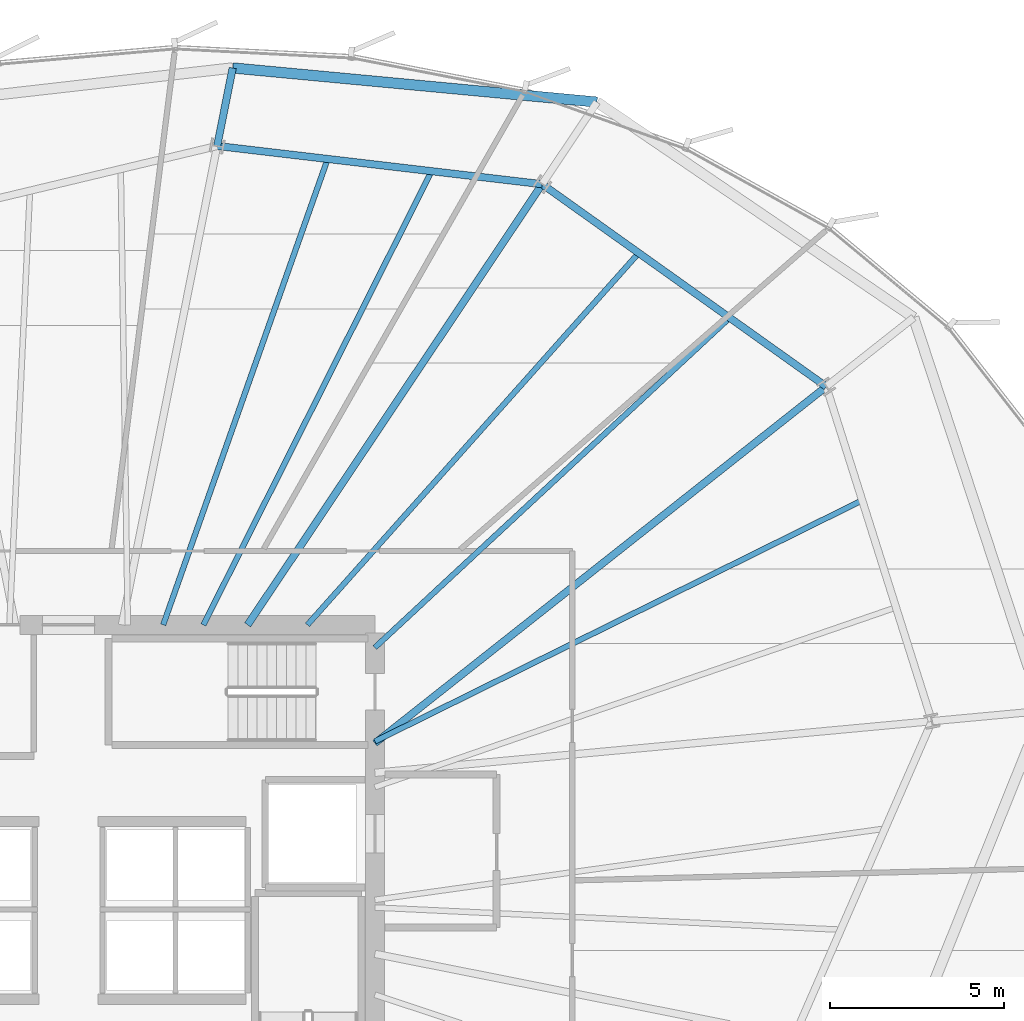
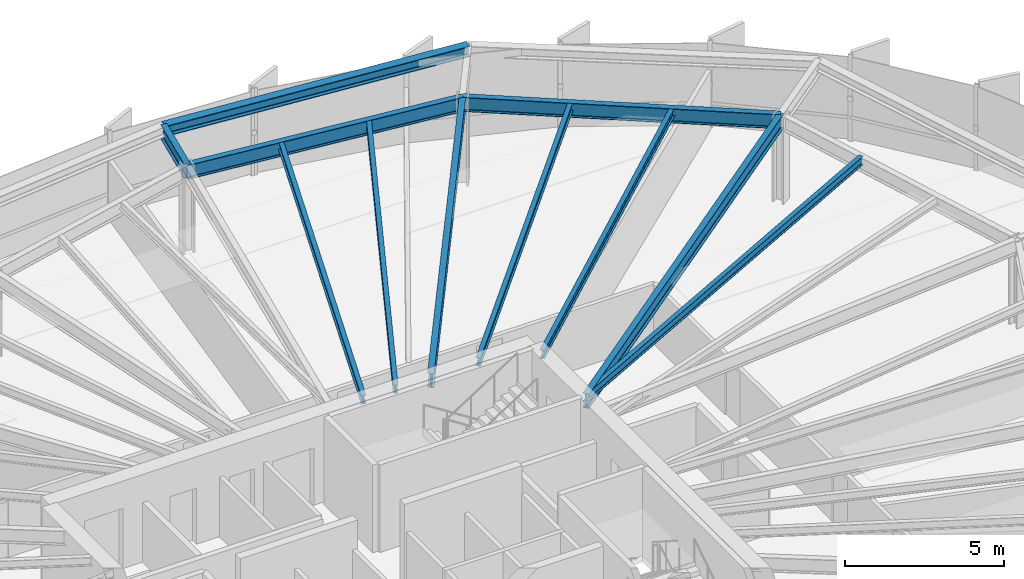
# One storey, part 23 of 35: 11 beams.
"""IFC4 building model written with IfcOpenShell, lengths in metres."""

from ifc_helpers import new_model, si_unit, direction, frame, origin, origin_2d, place, context, subcontext, project, spatial, i_section, extrude, source, transform, mapped, material, material_profile, profile_set, type_object, element, save


model = new_model("IFC4")

# Units and contexts
model_context = context("Model", 3, precision=1e-05, world=origin(), true_north=direction((0.0, 1.0)))
body_context = subcontext(model_context, "Body", "Model", "MODEL_VIEW")
ifc_project = project(units=[si_unit("LENGTHUNIT", "METRE"), si_unit("AREAUNIT", "SQUARE_METRE"), si_unit("VOLUMEUNIT", "CUBIC_METRE"), si_unit("PLANEANGLEUNIT", "RADIAN"), si_unit("MASSUNIT", "GRAM", prefix="KILO"), si_unit("THERMODYNAMICTEMPERATUREUNIT", "KELVIN")], contexts=[model_context])

# Site, building, storey
site_placement = place(None, origin())
site = spatial("IfcSite", under=ifc_project, at=site_placement, CompositionType="ELEMENT")
building_placement = place(site_placement, origin())
building = spatial("IfcBuilding", under=site, at=building_placement, Name="Kethvar Cultural Tower", CompositionType="ELEMENT")
storey_placement = place(building_placement, frame((0.0, 0.0, 103.60009765625)))
storey = spatial("IfcBuildingStorey", under=building, at=storey_placement, Name="L25", CompositionType="ELEMENT", Elevation=103.60009765625)

# Beams
ifc_material = material(Name="Steel S355J2", Category="steel")
ifc_material_profile_1 = material_profile(ifc_material, i_section(OverallWidth=0.2099609375, OverallDepth=0.550048828125, WebThickness=0.010986328125, FlangeThickness=0.01708984375, FilletRadius=0.02392578125, at=origin_2d()), Name="Steel S355J2 — IPE550")
ifc_profile_set_1 = profile_set([ifc_material_profile_1], Name="Steel S355J2 — IPE550")
beam_type_1 = type_object("IfcBeamType", Name="BM-IPE550", PredefinedType="BEAM", material=ifc_profile_set_1)
shared_shape_1 = source(origin(), body_context, "Body", "SweptSolid", [
    extrude(i_section(OverallWidth=0.2099609375, OverallDepth=0.550048828125, WebThickness=0.010986328125, FlangeThickness=0.01708984375, FilletRadius=0.02392578125, at=origin_2d()), origin(), (0.0, 0.0, 1.0), 16.527099609375),
])
beam_1_placement = place(storey_placement, frame((55.60009765625, 32.10009765625, 3.072998046875), z_axis=(0.784681939021, 0.619898584105, 0.0), x_axis=(-0.619898584105, 0.784681939021, 0.0)))
element("IfcBeam", 1, at=beam_1_placement, inside=storey, type_object=beam_type_1, Name="L25 Primary Radial Beam RB-02", PredefinedType="BEAM", context=body_context, shape_type="MappedRepresentation", body=[
    mapped(shared_shape_1, transform((0.0, 0.0, 0.0), scale=1.0)),
])
shared_shape_2 = source(origin(), body_context, "Body", "SweptSolid", [
    extrude(i_section(OverallWidth=0.2099609375, OverallDepth=0.550048828125, WebThickness=0.010986328125, FlangeThickness=0.01708984375, FilletRadius=0.02392578125, at=origin_2d()), origin(), (0.0, 0.0, 1.0), 15.22705078125),
])
beam_2_placement = place(storey_placement, frame((51.945068359375, 35.5, 3.072998046875), z_axis=(0.555569390778, 0.83147017507, 0.0), x_axis=(-0.83147017507, 0.555569390778, 0.0)))
element("IfcBeam", 2, at=beam_2_placement, inside=storey, type_object=beam_type_1, Name="L25 Primary Radial Beam RB-03", PredefinedType="BEAM", context=body_context, shape_type="MappedRepresentation", body=[
    mapped(shared_shape_2, transform((0.0, 0.0, 0.0), scale=1.0)),
])
ifc_material_profile_2 = material_profile(ifc_material, i_section(OverallWidth=0.159912109375, OverallDepth=0.330078125, WebThickness=0.007568359375, FlangeThickness=0.011474609375, FilletRadius=0.01806640625, at=origin_2d()), Name="Steel S355J2 — IPE330")
ifc_profile_set_2 = profile_set([ifc_material_profile_2], Name="Steel S355J2 — IPE330")
beam_type_2 = type_object("IfcBeamType", Name="BM-J330", PredefinedType="JOIST", material=ifc_profile_set_2)
shared_shape_3 = source(origin(), body_context, "Body", "SweptSolid", [
    extrude(i_section(OverallWidth=0.159912109375, OverallDepth=0.330078125, WebThickness=0.007568359375, FlangeThickness=0.011474609375, FilletRadius=0.01806640625, at=origin_2d()), origin(), (0.0, 0.0, 1.0), 15.618896484375),
])
beam_3_placement = place(storey_placement, frame((55.60009765625, 32.152587890625, 3.182861328125), z_axis=(0.896344638992, 0.443357968408, 0.0), x_axis=(-0.443357968408, 0.896344638992, 0.0)))
element("IfcBeam", 3, at=beam_3_placement, inside=storey, type_object=beam_type_2, Name="L25 Composite Floor Joist J-01B", PredefinedType="JOIST", context=body_context, shape_type="MappedRepresentation", body=[
    mapped(shared_shape_3, transform((0.0, 0.0, 0.0), scale=1.0)),
])
shared_shape_4 = source(origin(), body_context, "Body", "SweptSolid", [
    extrude(i_section(OverallWidth=0.2099609375, OverallDepth=0.550048828125, WebThickness=0.010986328125, FlangeThickness=0.01708984375, FilletRadius=0.02392578125, at=origin_2d()), origin(), (0.0, 0.0, 1.0), 10.0234375),
])
beam_4_placement = place(storey_placement, frame((68.568603515625, 42.34521484375, 3.072998046875), z_axis=(-0.814470106239, 0.580205520521, 0.0), x_axis=(-0.580205520521, -0.814470106239, 0.0)))
element("IfcBeam", 4, at=beam_4_placement, inside=storey, type_object=beam_type_1, Name="L25 Column Ring Tie Beam CR-02", PredefinedType="BEAM", context=body_context, shape_type="MappedRepresentation", body=[
    mapped(shared_shape_4, transform((0.0, 0.0, 0.0), scale=1.0)),
])
shared_shape_5 = source(origin(), body_context, "Body", "SweptSolid", [
    extrude(i_section(OverallWidth=0.159912109375, OverallDepth=0.330078125, WebThickness=0.007568359375, FlangeThickness=0.011474609375, FilletRadius=0.01806640625, at=origin_2d()), origin(), (0.0, 0.0, 1.0), 13.91455078125),
])
beam_5_placement = place(storey_placement, frame((55.60009765625, 34.85009765625, 3.182861328125), z_axis=(0.732512843328, 0.680753211054, 0.0), x_axis=(-0.680753211054, 0.732512843328, 0.0)))
element("IfcBeam", 5, at=beam_5_placement, inside=storey, type_object=beam_type_2, Name="L25 Composite Floor Joist J-02A", PredefinedType="JOIST", context=body_context, shape_type="MappedRepresentation", body=[
    mapped(shared_shape_5, transform((0.0, 0.0, 0.0), scale=1.0)),
])
shared_shape_6 = source(origin(), body_context, "Body", "SweptSolid", [
    extrude(i_section(OverallWidth=0.159912109375, OverallDepth=0.330078125, WebThickness=0.007568359375, FlangeThickness=0.011474609375, FilletRadius=0.01806640625, at=origin_2d()), origin(), (0.0, 0.0, 1.0), 14.3095703125),
])
beam_6_placement = place(storey_placement, frame((53.660888671875, 35.5, 3.182861328125), z_axis=(0.665261381663, 0.746610537073, 0.0), x_axis=(-0.746610537073, 0.665261381663, 0.0)))
element("IfcBeam", 6, at=beam_6_placement, inside=storey, type_object=beam_type_2, Name="L25 Composite Floor Joist J-02B", PredefinedType="JOIST", context=body_context, shape_type="MappedRepresentation", body=[
    mapped(shared_shape_6, transform((0.0, 0.0, 0.0), scale=1.0)),
])
shared_shape_7 = source(origin(), body_context, "Body", "SweptSolid", [
    extrude(i_section(OverallWidth=0.2099609375, OverallDepth=0.550048828125, WebThickness=0.010986328125, FlangeThickness=0.01708984375, FilletRadius=0.02392578125, at=origin_2d()), origin(), (0.0, 0.0, 1.0), 9.400634765625),
])
beam_7_placement = place(storey_placement, frame((60.40478515625, 48.160888671875, 3.072998046875), z_axis=(-0.993150427046, 0.116842754407, 0.0), x_axis=(-0.116842754407, -0.993150427046, 0.0)))
element("IfcBeam", 7, at=beam_7_placement, inside=storey, type_object=beam_type_1, Name="L25 Column Ring Tie Beam CR-03", PredefinedType="BEAM", context=body_context, shape_type="MappedRepresentation", body=[
    mapped(shared_shape_7, transform((0.0, 0.0, 0.0), scale=1.0)),
])
shared_shape_8 = source(origin(), body_context, "Body", "SweptSolid", [
    extrude(i_section(OverallWidth=0.159912109375, OverallDepth=0.330078125, WebThickness=0.007568359375, FlangeThickness=0.011474609375, FilletRadius=0.01806640625, at=origin_2d()), origin(), (0.0, 0.0, 1.0), 14.590576171875),
])
beam_8_placement = place(storey_placement, frame((50.673583984375, 35.5, 3.182861328125), z_axis=(0.449394228778, 0.893333547529, 0.0), x_axis=(-0.893333547529, 0.449394228778, 0.0)))
element("IfcBeam", 8, at=beam_8_placement, inside=storey, type_object=beam_type_2, Name="L25 Composite Floor Joist J-03A", PredefinedType="JOIST", context=body_context, shape_type="MappedRepresentation", body=[
    mapped(shared_shape_8, transform((0.0, 0.0, 0.0), scale=1.0)),
])
shared_shape_9 = source(origin(), body_context, "Body", "SweptSolid", [
    extrude(i_section(OverallWidth=0.159912109375, OverallDepth=0.330078125, WebThickness=0.007568359375, FlangeThickness=0.011474609375, FilletRadius=0.01806640625, at=origin_2d()), origin(), (0.0, 0.0, 1.0), 14.1953125),
])
beam_9_placement = place(storey_placement, frame((49.517822265625, 35.5, 3.182861328125), z_axis=(0.332865098769, 0.942974456717, 0.0), x_axis=(-0.942974456717, 0.332865098769, 0.0)))
element("IfcBeam", 9, at=beam_9_placement, inside=storey, type_object=beam_type_2, Name="L25 Composite Floor Joist J-03B", PredefinedType="JOIST", context=body_context, shape_type="MappedRepresentation", body=[
    mapped(shared_shape_9, transform((0.0, 0.0, 0.0), scale=1.0)),
])
shared_shape_10 = source(origin(), body_context, "Body", "SweptSolid", [
    extrude(i_section(OverallWidth=0.2099609375, OverallDepth=0.550048828125, WebThickness=0.010986328125, FlangeThickness=0.01708984375, FilletRadius=0.02392578125, at=origin_2d()), origin(), (0.0, 0.0, 1.0), 2.284912109375),
])
beam_10_placement = place(storey_placement, frame((51.068603515625, 49.25927734375, 3.072998046875), z_axis=(0.19510917046, 0.980781531026, 0.0), x_axis=(-0.980781531026, 0.19510917046, 0.0)))
element("IfcBeam", 10, at=beam_10_placement, inside=storey, type_object=beam_type_1, Name="L25 Perimeter Cantilever Beam RC-04", PredefinedType="BEAM", context=body_context, shape_type="MappedRepresentation", body=[
    mapped(shared_shape_10, transform((0.0, 0.0, 0.0), scale=1.0)),
])
ifc_material_profile_3 = material_profile(ifc_material, i_section(OverallWidth=0.300048828125, OverallDepth=0.39990234375, WebThickness=0.013427734375, FlangeThickness=0.02392578125, FilletRadius=0.027099609375, at=origin_2d()), Name="Steel S355J2 — HEB400")
ifc_profile_set_3 = profile_set([ifc_material_profile_3], Name="Steel S355J2 — HEB400")
beam_type_3 = type_object("IfcBeamType", Name="BM-SP400", PredefinedType="SPANDREL", material=ifc_profile_set_3)
shared_shape_11 = source(origin(), body_context, "Body", "SweptSolid", [
    extrude(i_section(OverallWidth=0.300048828125, OverallDepth=0.39990234375, WebThickness=0.013427734375, FlangeThickness=0.02392578125, FilletRadius=0.027099609375, at=origin_2d()), origin(), (0.0, 0.0, 1.0), 10.51220703125),
])
beam_11_placement = place(storey_placement, frame((61.980712890625, 50.51953125, 3.14794921875), z_axis=(-0.995638676496, 0.09329322518, 0.0), x_axis=(-0.09329322518, -0.995638676496, 0.0)))
element("IfcBeam", 11, at=beam_11_placement, inside=storey, type_object=beam_type_3, Name="L25 Perimeter Spandrel Beam SP-03", PredefinedType="SPANDREL", context=body_context, shape_type="MappedRepresentation", body=[
    mapped(shared_shape_11, transform((0.0, 0.0, 0.0), scale=1.0)),
])

save(model, "model.ifc")
